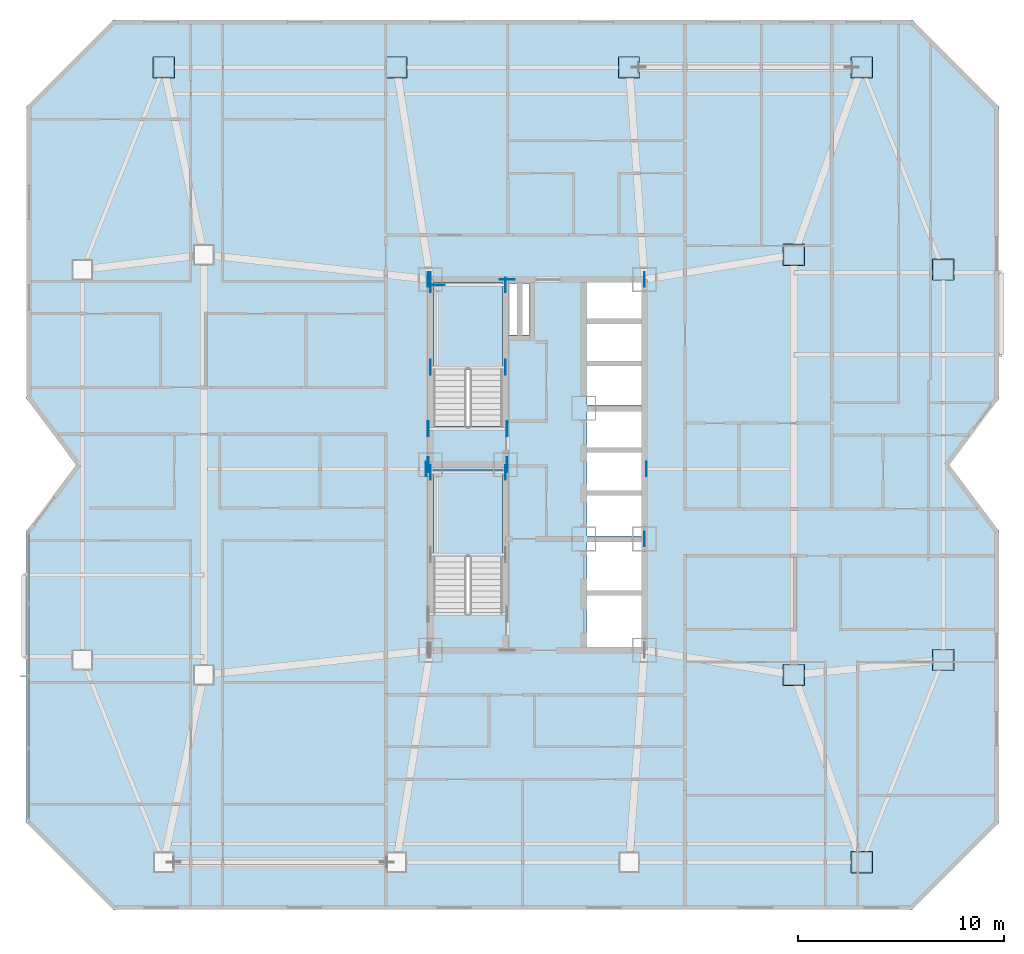
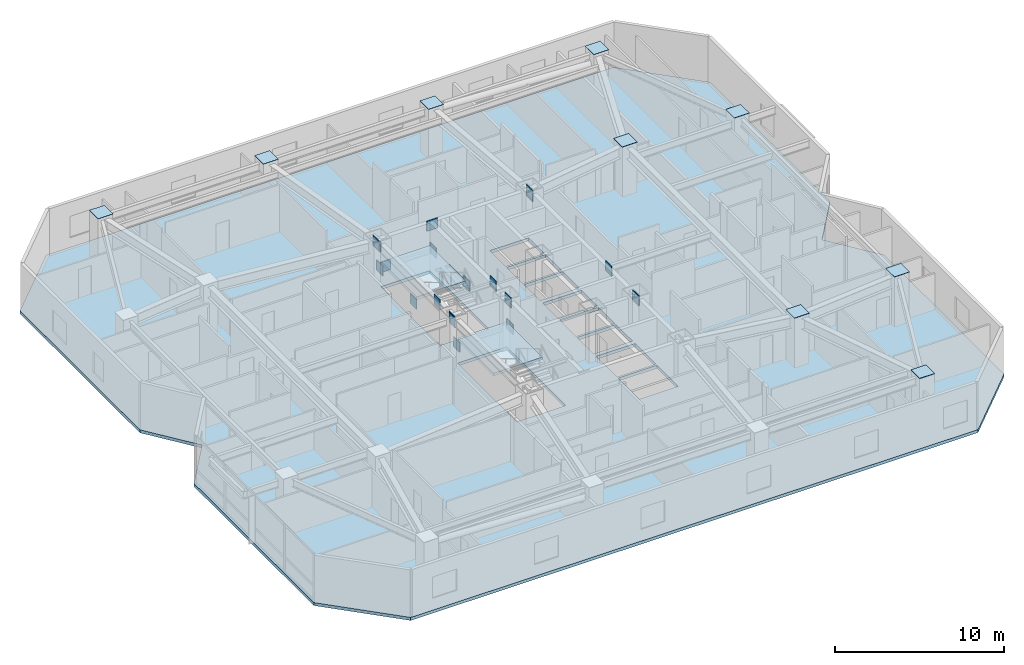
# One storey, part 8 of 17: 28 plates, 3 slabs, 2 elements without a shape of their own.
"""IFC4 building model written with IfcOpenShell, lengths in metres."""

from ifc_helpers import new_model, si_unit, direction, frame, origin, origin_2d, place, context, subcontext, project, spatial, polyline, rectangle, outline, extrude, material, layer, layer_set, type_object, element, aggregate, save


model = new_model("IFC4")

# Units and contexts
model_context = context("Model", 3, precision=1e-05, world=origin(), true_north=direction((0.0, 1.0)))
body_context = subcontext(model_context, "Body", "Model", "MODEL_VIEW")
ifc_project = project(units=[si_unit("LENGTHUNIT", "METRE"), si_unit("AREAUNIT", "SQUARE_METRE"), si_unit("VOLUMEUNIT", "CUBIC_METRE"), si_unit("PLANEANGLEUNIT", "RADIAN"), si_unit("MASSUNIT", "GRAM", prefix="KILO")], contexts=[model_context])

# Site, building, storey
site_placement = place(None, origin())
site = spatial("IfcSite", under=ifc_project, at=site_placement, CompositionType="ELEMENT")
building_placement = place(site_placement, origin())
building = spatial("IfcBuilding", under=site, at=building_placement, Name="Khamvora Tower", CompositionType="ELEMENT")
storey_placement = place(building_placement, frame((0.0, 0.0, 131.10009765625)))
storey = spatial("IfcBuildingStorey", under=building, at=storey_placement, Name="L33", CompositionType="ELEMENT", Elevation=131.10009765625)

# Plates
ifc_material_1 = material(Name="Steel S355", Category="steel")
ifc_layer_1 = layer(ifc_material_1, 0.02490234375)
ifc_layer_set_1 = layer_set([ifc_layer_1], Name="Steel S355")
plate_type_1 = type_object("IfcPlateType", Name="PL-CAP-25", PredefinedType="SHEET", material=ifc_layer_set_1)
for number, where, z_axis, x_axis, name in (
    (1, (49.949951171875, 8.699951171875, 3.62548828125), (0.0, 0.0, 1.0), (1.0, 0.0, 0.0), "L33 hollow section steel end cap plate 0156"),
    (2, (16.050048828125, 47.300048828125, 3.62548828125), (0.0, 0.0, 1.0), (1.0, 0.0, 0.0), "L33 hollow section steel end cap plate 0159"),
    (3, (27.35009765625, 47.300048828125, 3.62548828125), (0.0, 0.0, 1.0), (1.0, 0.0, 0.0), "L33 hollow section steel end cap plate 0162"),
    (4, (38.64990234375, 47.300048828125, 3.62548828125), (0.0, 0.0, 1.0), (1.0, 0.0, 0.0), "L33 hollow section steel end cap plate 0165"),
    (5, (49.949951171875, 47.300048828125, 3.62548828125), (0.0, 0.0, 1.0), (1.0, 0.0, 0.0), "L33 hollow section steel end cap plate 0168"),
    (6, (53.89990234375, 18.52001953125, 3.62548828125), (0.0, 0.0, 1.0), (1.0, 0.0, 0.0), "L33 hollow section steel end cap plate 0177"),
    (7, (53.89990234375, 37.47998046875, 3.62548828125), (0.0, 0.0, 1.0), (1.0, 0.0, 0.0), "L33 hollow section steel end cap plate 0180"),
    (8, (46.64990234375, 17.800048828125, 3.62548828125), (0.0, 0.0, 1.0), (1.0, 0.0, 0.0), "L33 hollow section steel end cap plate 0183"),
    (9, (46.64990234375, 38.199951171875, 3.62548828125), (0.0, 0.0, 1.0), (1.0, 0.0, 0.0), "L33 hollow section steel end cap plate 0186"),
):
    element("IfcPlate", number, at=place(storey_placement, frame(where, z_axis=z_axis, x_axis=x_axis)), inside=storey, type_object=plate_type_1, Name=name, PredefinedType="SHEET", context=body_context, shape_type="SweptSolid", body=[
        extrude(rectangle(XDim=1.030029296875, YDim=1.030029296875, at=origin_2d()), origin(), (0.0, 0.0, 1.0), 0.02490234375),
    ])
ifc_material_2 = material(Name="Steel S460", Category="steel")
ifc_layer_2 = layer(ifc_material_2, 0.034912109375)
ifc_layer_set_2 = layer_set([ifc_layer_2], Name="Steel S460")
plate_type_2 = type_object("IfcPlateType", Name="PL-EMB-35", PredefinedType="SHEET", material=ifc_layer_set_2)
for number, where, z_axis, x_axis, name in (
    (10, (29.0, 27.6298828125, 1.1337890625), (0.0, 0.0, 1.0), (1.0, 0.0, 0.0), "L33 core shear wall cast-in embed plate 0966"),
    (11, (32.64990234375, 27.6298828125, 1.1337890625), (0.0, 0.0, 1.0), (1.0, 0.0, 0.0), "L33 core shear wall cast-in embed plate 0967"),
    (12, (29.0, 32.735107421875, 1.1337890625), (0.0, 0.0, 1.0), (1.0, 0.0, 0.0), "L33 core shear wall cast-in embed plate 0968"),
    (13, (32.64990234375, 32.735107421875, 1.1337890625), (0.0, 0.0, 1.0), (1.0, 0.0, 0.0), "L33 core shear wall cast-in embed plate 0969"),
    (14, (29.0, 36.72998046875, 1.1337890625), (0.0, 0.0, 1.0), (1.0, 0.0, 0.0), "L33 core shear wall cast-in embed plate 0970"),
    (15, (32.64990234375, 36.72998046875, 1.1337890625), (0.0, 0.0, 1.0), (1.0, 0.0, 0.0), "L33 core shear wall cast-in embed plate 0971"),
):
    element("IfcPlate", number, at=place(storey_placement, frame(where, z_axis=z_axis, x_axis=x_axis)), inside=storey, type_object=plate_type_2, Name=name, PredefinedType="SHEET", context=body_context, shape_type="SweptSolid", body=[
        extrude(rectangle(XDim=0.034912109375, YDim=0.719970703125, at=origin_2d()), origin(), (0.0, 0.0, 1.0), 0.719970703125),
    ])
plate_1_placement = place(storey_placement, frame((29.35009765625, 36.72998046875, 1.1337890625), z_axis=(0.0, 0.0, 1.0), x_axis=(1.0, 0.0, 0.0)))
element("IfcPlate", 16, at=plate_1_placement, inside=storey, type_object=plate_type_2, Name="L33 core shear wall cast-in embed plate 0972", PredefinedType="SHEET", context=body_context, shape_type="SweptSolid", body=[
    extrude(rectangle(XDim=0.719970703125, YDim=0.034912109375, at=origin_2d()), origin(), (0.0, 0.0, 1.0), 0.719970703125),
])
for number, where, z_axis, x_axis, name in (
    (17, (29.0, 37.0, 2.68310546875), (0.0, 0.0, 1.0), (1.0, 0.0, 0.0), "L33 core shear wall cast-in embed plate 0975"),
    (18, (39.39990234375, 37.0, 2.68310546875), (0.0, 0.0, 1.0), (1.0, 0.0, 0.0), "L33 core shear wall cast-in embed plate 0976"),
    (19, (28.89990234375, 28.0, 2.802734375), (0.0, 0.0, 1.0), (1.0, 0.0, 0.0), "L33 core shear wall cast-in embed plate 0978"),
    (20, (28.89990234375, 37.0, 2.802734375), (0.0, 0.0, 1.0), (1.0, 0.0, 0.0), "L33 core shear wall cast-in embed plate 0979"),
    (21, (32.72998046875, 28.0, 2.802734375), (0.0, 0.0, 1.0), (1.0, 0.0, 0.0), "L33 core shear wall cast-in embed plate 0981"),
):
    element("IfcPlate", number, at=place(storey_placement, frame(where, z_axis=z_axis, x_axis=x_axis)), inside=storey, type_object=plate_type_2, Name=name, PredefinedType="SHEET", context=body_context, shape_type="SweptSolid", body=[
        extrude(rectangle(XDim=0.034912109375, YDim=0.719970703125, at=origin_2d()), origin(), (0.0, 0.0, 1.0), 0.719970703125),
    ])
plate_2_placement = place(storey_placement, frame((32.72998046875, 37.0, 2.802734375), z_axis=(0.0, 0.0, 1.0), x_axis=(1.0, 0.0, 0.0)))
element("IfcPlate", 22, at=plate_2_placement, inside=storey, type_object=plate_type_2, Name="L33 core shear wall cast-in embed plate 0982", PredefinedType="SHEET", context=body_context, shape_type="SweptSolid", body=[
    extrude(rectangle(XDim=0.719970703125, YDim=0.034912109375, at=origin_2d()), origin(), (0.0, 0.0, 1.0), 0.719970703125),
])
for number, where, z_axis, x_axis, name in (
    (23, (39.39990234375, 24.39990234375, 2.802734375), (0.0, 0.0, 1.0), (1.0, 0.0, 0.0), "L33 core shear wall cast-in embed plate 0984"),
    (24, (39.39990234375, 37.0, 2.802734375), (0.0, 0.0, 1.0), (1.0, 0.0, 0.0), "L33 core shear wall cast-in embed plate 0985"),
    (25, (28.89990234375, 29.75, 2.94384765625), (0.0, 0.0, 1.0), (1.0, 0.0, 0.0), "L33 core shear wall cast-in embed plate 0988"),
    (26, (32.72998046875, 29.75, 2.94384765625), (0.0, 0.0, 1.0), (1.0, 0.0, 0.0), "L33 core shear wall cast-in embed plate 0989"),
    (27, (28.800048828125, 27.800048828125, 2.837890625), (0.0, 0.0, 1.0), (1.0, 0.0, 0.0), "L33 core shear wall cast-in embed plate 0990"),
    (28, (39.4990234375, 27.800048828125, 2.837890625), (0.0, 0.0, 1.0), (1.0, 0.0, 0.0), "L33 core shear wall cast-in embed plate 0991"),
):
    element("IfcPlate", number, at=place(storey_placement, frame(where, z_axis=z_axis, x_axis=x_axis)), inside=storey, type_object=plate_type_2, Name=name, PredefinedType="SHEET", context=body_context, shape_type="SweptSolid", body=[
        extrude(rectangle(XDim=0.034912109375, YDim=0.719970703125, at=origin_2d()), origin(), (0.0, 0.0, 1.0), 0.719970703125),
    ])

# Stair, slab
ifc_material_3 = material(Name="Concrete C40/50", Category="concrete")
stair_type_1 = type_object("IfcStairType", Name="STR-ST-01", PredefinedType="HALF_TURN_STAIR", material=ifc_material_3)
stair_1_placement = place(storey_placement, origin())
stair_1 = element("IfcStair", 29, at=stair_1_placement, inside=storey, type_object=stair_type_1, Name="L33 South Tower Exit Stair ST-01", PredefinedType="HALF_TURN_STAIR")
ifc_layer_3 = layer(ifc_material_3, 0.199951171875)
ifc_layer_set_3 = layer_set([ifc_layer_3], Name="Concrete C40/50")
slab_type_1 = type_object("IfcSlabType", Name="SLB-LND-200", PredefinedType="LANDING", material=ifc_layer_set_3)
slab_1_placement = place(storey_placement, frame((0.0, 0.0, 1.625)))
slab_1 = element("IfcSlab", 30, at=slab_1_placement, type_object=slab_type_1, Name="ST-01 landing 1", PredefinedType="LANDING", context=body_context, shape_type="SweptSolid", body=[
    extrude(outline(polyline([(32.5, 23.514892578125), (32.5, 27.75), (29.14990234375, 27.75), (29.14990234375, 23.514892578125), (32.5, 23.514892578125)])), origin(), (0.0, 0.0, 1.0), 0.199951171875),
])
aggregate(stair_1, [slab_1])

stair_type_2 = type_object("IfcStairType", Name="STR-ST-02", PredefinedType="HALF_TURN_STAIR", material=ifc_material_3)
stair_2_placement = place(storey_placement, origin())
stair_2 = element("IfcStair", 31, at=stair_2_placement, inside=storey, type_object=stair_type_2, Name="L33 North Tower Exit Stair ST-02", PredefinedType="HALF_TURN_STAIR")
slab_2_placement = place(storey_placement, frame((0.0, 0.0, 1.625)))
slab_2 = element("IfcSlab", 32, at=slab_2_placement, type_object=slab_type_1, Name="ST-02 landing 1", PredefinedType="LANDING", context=body_context, shape_type="SweptSolid", body=[
    extrude(outline(polyline([(32.5, 32.614990234375), (32.5, 36.85009765625), (29.14990234375, 36.85009765625), (29.14990234375, 32.614990234375), (32.5, 32.614990234375)])), origin(), (0.0, 0.0, 1.0), 0.199951171875),
])
aggregate(stair_2, [slab_2])

# Slab
ifc_material_4 = material(Name="Concrete C35/45", Category="concrete")
ifc_layer_4 = layer(ifc_material_4, 0.219970703125)
ifc_layer_set_4 = layer_set([ifc_layer_4], Name="Concrete C35/45")
slab_type_2 = type_object("IfcSlabType", Name="SLB-TYP-220", PredefinedType="FLOOR", material=ifc_layer_set_4)
slab_3_placement = place(storey_placement, frame((0.0, 0.0, -0.22021484375)))
element("IfcSlab", 33, at=slab_3_placement, inside=storey, type_object=slab_type_2, Name="L33 structural floor slab", PredefinedType="FLOOR", context=body_context, shape_type="SweptSolid", body=[
    extrude(outline(polyline([(13.60009765625, 6.39990234375), (52.39990234375, 6.39990234375), (56.60009765625, 10.60009765625), (56.60009765625, 24.800048828125), (54.199951171875, 28.0), (56.60009765625, 31.199951171875), (56.60009765625, 45.39990234375), (52.39990234375, 49.60009765625), (13.60009765625, 49.60009765625), (9.39990234375, 45.39990234375), (9.39990234375, 31.199951171875), (11.800048828125, 28.0), (9.39990234375, 24.800048828125), (9.39990234375, 10.60009765625), (13.60009765625, 6.39990234375)]), holes=[polyline([(32.5, 20.760009765625), (32.5, 27.75), (29.14990234375, 27.75), (29.14990234375, 20.760009765625), (32.5, 20.760009765625)]), polyline([(32.5, 29.860107421875), (32.5, 36.85009765625), (29.14990234375, 36.85009765625), (29.14990234375, 29.860107421875), (32.5, 29.860107421875)]), polyline([(36.60009765625, 19.14990234375), (39.25, 19.14990234375), (39.25, 21.64990234375), (36.60009765625, 21.64990234375), (36.60009765625, 19.14990234375)]), polyline([(36.60009765625, 21.800048828125), (39.25, 21.800048828125), (39.25, 24.25), (36.60009765625, 24.25), (36.60009765625, 21.800048828125)]), polyline([(36.60009765625, 24.550048828125), (39.25, 24.550048828125), (39.25, 26.5), (36.60009765625, 26.5), (36.60009765625, 24.550048828125)]), polyline([(36.60009765625, 26.64990234375), (39.25, 26.64990234375), (39.25, 28.60009765625), (36.60009765625, 28.60009765625), (36.60009765625, 26.64990234375)]), polyline([(36.60009765625, 28.75), (39.25, 28.75), (39.25, 30.60009765625), (36.60009765625, 30.60009765625), (36.60009765625, 28.75)]), polyline([(36.60009765625, 30.89990234375), (39.25, 30.89990234375), (39.25, 32.800048828125), (36.60009765625, 32.800048828125), (36.60009765625, 30.89990234375)]), polyline([(36.60009765625, 32.949951171875), (39.25, 32.949951171875), (39.25, 34.85009765625), (36.60009765625, 34.85009765625), (36.60009765625, 32.949951171875)]), polyline([(36.60009765625, 35.0), (39.25, 35.0), (39.25, 36.85009765625), (36.60009765625, 36.85009765625), (36.60009765625, 35.0)]), polyline([(32.800048828125, 34.300048828125), (33.199951171875, 34.300048828125), (33.199951171875, 36.800048828125), (32.800048828125, 36.800048828125), (32.800048828125, 34.300048828125)]), polyline([(33.47998046875, 34.300048828125), (33.820068359375, 34.300048828125), (33.820068359375, 36.800048828125), (33.47998046875, 36.800048828125), (33.47998046875, 34.300048828125)])]), origin(), (0.0, 0.0, 1.0), 0.22021484375),
])

save(model, "model.ifc")
